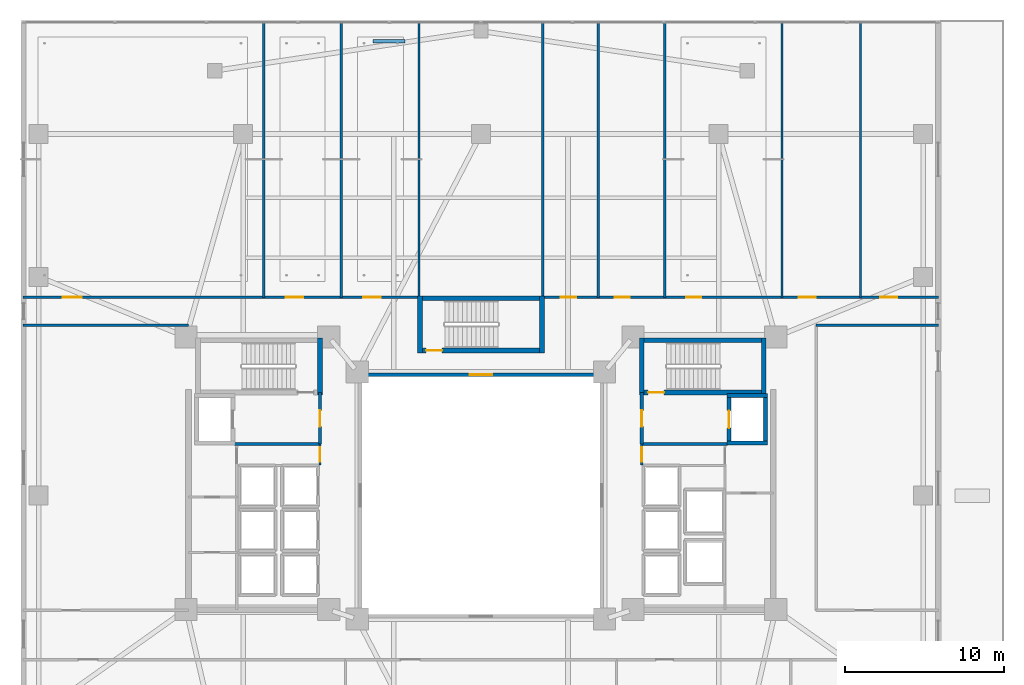
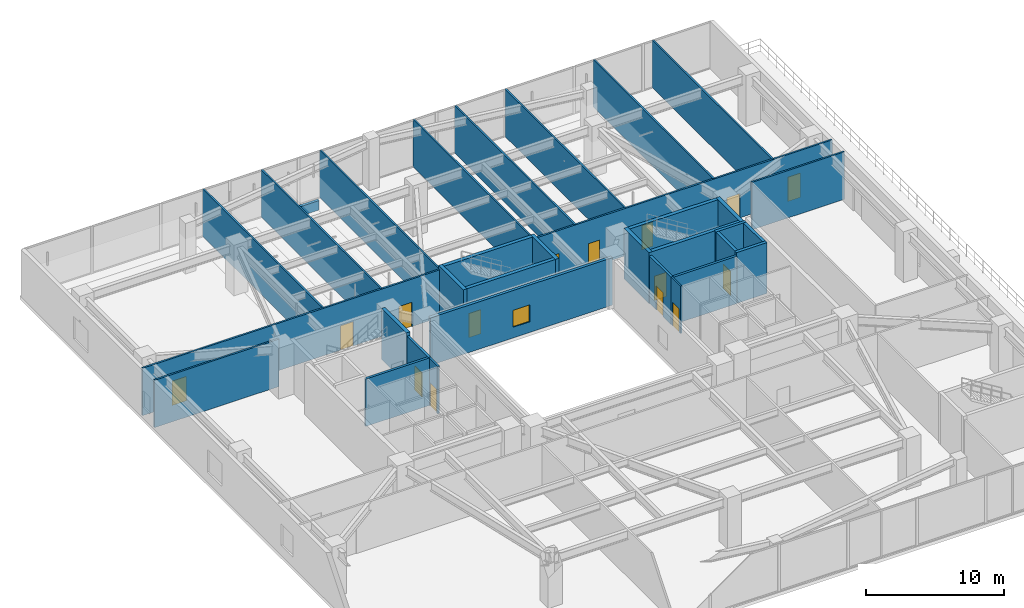
# One storey, part 19 of 27: 33 walls, 15 doors, 1 window, 16 openings.
"""IFC4 building model written with IfcOpenShell, lengths in metres."""

from ifc_helpers import new_model, si_unit, direction, frame, frame_2d, origin, place, context, subcontext, project, spatial, rectangle, extrude, material, layer, layer_set, type_object, element, fill, save


model = new_model("IFC4")

# Units and contexts
model_context = context("Model", 3, precision=1e-05, world=origin(), true_north=direction((0.0, 1.0)))
body_context = subcontext(model_context, "Body", "Model", "MODEL_VIEW")
ifc_project = project(units=[si_unit("LENGTHUNIT", "METRE"), si_unit("AREAUNIT", "SQUARE_METRE"), si_unit("VOLUMEUNIT", "CUBIC_METRE"), si_unit("PLANEANGLEUNIT", "RADIAN"), si_unit("MASSUNIT", "GRAM", prefix="KILO")], contexts=[model_context])

# Site, building, storey
site_placement = place(None, origin())
site = spatial("IfcSite", under=ifc_project, at=site_placement, CompositionType="ELEMENT")
building_placement = place(site_placement, origin())
building = spatial("IfcBuilding", under=site, at=building_placement, Name="Tarnavaz Court Tower", CompositionType="ELEMENT")
storey_placement = place(building_placement, frame((0.0, 0.0, 9.89990234375)))
storey = spatial("IfcBuildingStorey", under=building, at=storey_placement, Name="L02", CompositionType="ELEMENT", Elevation=9.89990234375)

# Wall, opening, door
ifc_material_1 = material(Name="Concrete C60/75", Category="concrete")
ifc_layer_1 = layer(ifc_material_1, 0.25)
ifc_layer_set_1 = layer_set([ifc_layer_1], Name="Concrete C60/75")
wall_type_1 = type_object("IfcWallType", Name="WL-CORE-250-C60", PredefinedType="SHEAR", material=ifc_layer_set_1)
wall_1_placement = place(storey_placement, frame((15.64990234375, 3.175048828125, 0.0), z_axis=(0.0, 0.0, 1.0), x_axis=(0.0, 1.0, 0.0)))
wall_1 = element("IfcWall", 1, at=wall_1_placement, inside=storey, type_object=wall_type_1, Name="L02 Lift FL-E1 Shaft Wall 049", PredefinedType="SHEAR", context=body_context, shape_type="SweptSolid", body=[
    extrude(rectangle(XDim=3.25, YDim=0.25, at=frame_2d((1.625, 0.0))), origin(), (0.0, 0.0, 1.0), 4.5),
])
opening_1_placement = place(wall_1_placement, frame((1.074951171875, 0.0, 0.0)))
opening_1 = element("IfcOpeningElement", 2, at=opening_1_placement, cuts=wall_1, Name="Opening LD1", PredefinedType="OPENING", context=body_context, shape_type="SweptSolid", body=[
    extrude(rectangle(XDim=1.10009765625, YDim=2.14990234375, at=frame_2d((0.550048828125, 1.074951171875))), frame((0.0, 0.135009765625, 0.0), z_axis=(0.0, -1.0, 0.0), x_axis=(1.0, 0.0, 0.0)), (0.0, 0.0, 1.0), 0.27001953125),
])
ifc_material_2 = material(Name="Stainless Steel", Category="steel")
door_type_1 = type_object("IfcDoorType", Name="DR-LD-1100", OperationType="NOTDEFINED", PredefinedType="DOOR", material=ifc_material_2)
door_1_placement = place(opening_1_placement, origin())
door_1 = element("IfcDoor", 3, at=door_1_placement, inside=storey, type_object=door_type_1, Name="L02 Lift Landing Door LD-FL-E1", OperationType="SLIDING_TO_LEFT", OverallHeight=2.14990234375, OverallWidth=1.10009765625, PredefinedType="DOOR", context=body_context, shape_type="SweptSolid", body=[
    extrude(rectangle(XDim=1.10009765625, YDim=2.14990234375, at=frame_2d((0.550048828125, 1.074951171875))), frame((0.0, 0.02490234375, 0.0), z_axis=(0.0, -1.0, 0.0), x_axis=(1.0, 0.0, 0.0)), (0.0, 0.0, 1.0), 0.050048828125),
])
fill(opening_1, door_1)

# Walls
wall_2_placement = place(storey_placement, frame((17.949951171875, 3.175048828125, 0.0), z_axis=(0.0, 0.0, 1.0), x_axis=(0.0, 1.0, 0.0)))
element("IfcWall", 4, at=wall_2_placement, inside=storey, type_object=wall_type_1, Name="L02 Lift FL-E1 Shaft Wall 050", PredefinedType="SHEAR", context=body_context, shape_type="SweptSolid", body=[
    extrude(rectangle(XDim=3.25, YDim=0.25, at=frame_2d((1.625, 0.0))), origin(), (0.0, 0.0, 1.0), 4.5),
])
for number, where, z_axis, x_axis, name in (
    (5, (15.52490234375, 3.300048828125, 0.0), (0.0, 0.0, 1.0), (1.0, 0.0, 0.0), "L02 Lift FL-E1 Shaft Wall 051"),
    (6, (15.52490234375, 6.300048828125, 0.0), (0.0, 0.0, 1.0), (1.0, 0.0, 0.0), "L02 Lift FL-E1 Shaft Wall 052"),
):
    element("IfcWall", number, at=place(storey_placement, frame(where, z_axis=z_axis, x_axis=x_axis)), inside=storey, type_object=wall_type_1, Name=name, PredefinedType="SHEAR", context=body_context, shape_type="SweptSolid", body=[
        extrude(rectangle(XDim=2.550048828125, YDim=0.25, at=frame_2d((1.27490234375, 0.0))), origin(), (0.0, 0.0, 1.0), 4.5),
    ])
ifc_layer_2 = layer(ifc_material_1, 0.300048828125)
ifc_layer_set_2 = layer_set([ifc_layer_2], Name="Concrete C60/75")
wall_type_2 = type_object("IfcWallType", Name="WL-CORE-300-C60", PredefinedType="SHEAR", material=ifc_layer_set_2)
wall_3_placement = place(storey_placement, frame((-10.14990234375, 6.35009765625, 0.0), z_axis=(0.0, 0.0, 1.0), x_axis=(0.0, 1.0, 0.0)))
element("IfcWall", 7, at=wall_3_placement, inside=storey, type_object=wall_type_2, Name="L02 West Stair Core Wall 004", PredefinedType="SHEAR", context=body_context, shape_type="SweptSolid", body=[
    extrude(rectangle(XDim=3.58984375, YDim=0.300048828125, at=frame_2d((1.794921875, 0.0))), origin(), (0.0, 0.0, 1.0), 4.5),
])
wall_4_placement = place(storey_placement, frame((10.0, 9.7900390625, 0.0), z_axis=(0.0, 0.0, 1.0), x_axis=(1.0, 0.0, 0.0)))
element("IfcWall", 8, at=wall_4_placement, inside=storey, type_object=wall_type_2, Name="L02 East Stair Core Wall 005", PredefinedType="SHEAR", context=body_context, shape_type="SweptSolid", body=[
    extrude(rectangle(XDim=8.0, YDim=0.300048828125, at=frame_2d((4.0, 0.0))), origin(), (0.0, 0.0, 1.0), 4.5),
])

# Wall, opening, door
wall_5_placement = place(storey_placement, frame((10.0, 6.5, 0.0), z_axis=(0.0, 0.0, 1.0), x_axis=(1.0, 0.0, 0.0)))
wall_5 = element("IfcWall", 9, at=wall_5_placement, inside=storey, type_object=wall_type_2, Name="L02 East Stair Core Wall 006", PredefinedType="SHEAR", context=body_context, shape_type="SweptSolid", body=[
    extrude(rectangle(XDim=8.0, YDim=0.300048828125, at=frame_2d((4.0, 0.0))), origin(), (0.0, 0.0, 1.0), 4.5),
])
opening_2_placement = place(wall_5_placement, frame((0.550048828125, 0.0, 0.0)))
opening_2 = element("IfcOpeningElement", 10, at=opening_2_placement, cuts=wall_5, Name="Opening D01", PredefinedType="OPENING", context=body_context, shape_type="SweptSolid", body=[
    extrude(rectangle(XDim=1.0, YDim=2.14990234375, at=frame_2d((0.5, 1.074951171875))), frame((0.0, 0.159912109375, 0.0), z_axis=(0.0, -1.0, 0.0), x_axis=(1.0, 0.0, 0.0)), (0.0, 0.0, 1.0), 0.320068359375),
])
ifc_material_3 = material(Name="Fire-Rated Hardwood Timber Core", Category="wood")
door_type_2 = type_object("IfcDoorType", Name="DR-FD90-1000", OperationType="NOTDEFINED", PredefinedType="DOOR", material=ifc_material_3)
door_2_placement = place(opening_2_placement, origin())
door_2 = element("IfcDoor", 11, at=door_2_placement, inside=storey, type_object=door_type_2, Name="L02 Stair ST-E1 Exit Door", OperationType="SINGLE_SWING_RIGHT", OverallHeight=2.14990234375, OverallWidth=1.0, PredefinedType="DOOR", context=body_context, shape_type="SweptSolid", body=[
    extrude(rectangle(XDim=1.0, YDim=2.14990234375, at=frame_2d((0.5, 1.074951171875))), frame((0.0, 0.02490234375, 0.0), z_axis=(0.0, -1.0, 0.0), x_axis=(1.0, 0.0, 0.0)), (0.0, 0.0, 1.0), 0.050048828125),
])
fill(opening_2, door_2)

# Walls
for number, where, z_axis, x_axis, name in (
    (12, (10.14990234375, 6.35009765625, 0.0), (0.0, 0.0, 1.0), (0.0, 1.0, 0.0), "L02 East Stair Core Wall 007"),
    (13, (17.85009765625, 6.35009765625, 0.0), (0.0, 0.0, 1.0), (0.0, 1.0, 0.0), "L02 East Stair Core Wall 008"),
):
    element("IfcWall", number, at=place(storey_placement, frame(where, z_axis=z_axis, x_axis=x_axis)), inside=storey, type_object=wall_type_2, Name=name, PredefinedType="SHEAR", context=body_context, shape_type="SweptSolid", body=[
        extrude(rectangle(XDim=3.58984375, YDim=0.300048828125, at=frame_2d((1.794921875, 0.0))), origin(), (0.0, 0.0, 1.0), 4.5),
    ])
wall_6_placement = place(storey_placement, frame((-4.0, 12.43994140625, 0.0), z_axis=(0.0, 0.0, 1.0), x_axis=(1.0, 0.0, 0.0)))
element("IfcWall", 14, at=wall_6_placement, inside=storey, type_object=wall_type_2, Name="L02 North Stair Core Wall 009", PredefinedType="SHEAR", context=body_context, shape_type="SweptSolid", body=[
    extrude(rectangle(XDim=8.0, YDim=0.300048828125, at=frame_2d((4.0, 0.0))), origin(), (0.0, 0.0, 1.0), 4.5),
])

# Wall, opening, door
wall_7_placement = place(storey_placement, frame((-4.0, 9.14990234375, 0.0), z_axis=(0.0, 0.0, 1.0), x_axis=(1.0, 0.0, 0.0)))
wall_7 = element("IfcWall", 15, at=wall_7_placement, inside=storey, type_object=wall_type_2, Name="L02 North Stair Core Wall 010", PredefinedType="SHEAR", context=body_context, shape_type="SweptSolid", body=[
    extrude(rectangle(XDim=8.0, YDim=0.300048828125, at=frame_2d((4.0, 0.0))), origin(), (0.0, 0.0, 1.0), 4.5),
])
opening_3_placement = place(wall_7_placement, frame((0.550048828125, 0.0, 0.0)))
opening_3 = element("IfcOpeningElement", 16, at=opening_3_placement, cuts=wall_7, Name="Opening D01", PredefinedType="OPENING", context=body_context, shape_type="SweptSolid", body=[
    extrude(rectangle(XDim=1.0, YDim=2.14990234375, at=frame_2d((0.5, 1.074951171875))), frame((0.0, 0.159912109375, 0.0), z_axis=(0.0, -1.0, 0.0), x_axis=(1.0, 0.0, 0.0)), (0.0, 0.0, 1.0), 0.320068359375),
])
door_3_placement = place(opening_3_placement, origin())
door_3 = element("IfcDoor", 17, at=door_3_placement, inside=storey, type_object=door_type_2, Name="L02 Stair ST-N1 Exit Door", OperationType="SINGLE_SWING_LEFT", OverallHeight=2.14990234375, OverallWidth=1.0, PredefinedType="DOOR", context=body_context, shape_type="SweptSolid", body=[
    extrude(rectangle(XDim=1.0, YDim=2.14990234375, at=frame_2d((0.5, 1.074951171875))), frame((0.0, 0.02490234375, 0.0), z_axis=(0.0, -1.0, 0.0), x_axis=(1.0, 0.0, 0.0)), (0.0, 0.0, 1.0), 0.050048828125),
])
fill(opening_3, door_3)

# Walls
for number, where, z_axis, x_axis, name in (
    (18, (-3.85009765625, 9.0, 0.0), (0.0, 0.0, 1.0), (0.0, 1.0, 0.0), "L02 North Stair Core Wall 011"),
    (19, (3.85009765625, 9.0, 0.0), (0.0, 0.0, 1.0), (0.0, 1.0, 0.0), "L02 North Stair Core Wall 012"),
):
    element("IfcWall", number, at=place(storey_placement, frame(where, z_axis=z_axis, x_axis=x_axis)), inside=storey, type_object=wall_type_2, Name=name, PredefinedType="SHEAR", context=body_context, shape_type="SweptSolid", body=[
        extrude(rectangle(XDim=3.590087890625, YDim=0.300048828125, at=frame_2d((1.794921875, 0.0))), origin(), (0.0, 0.0, 1.0), 4.5),
    ])

# Wall, openings, doors
ifc_material_4 = material(Name="Gypsum Fire-Board on Acoustic Metal Stud", Category="masonry")
ifc_layer_3 = layer(ifc_material_4, 0.14990234375)
ifc_layer_set_3 = layer_set([ifc_layer_3], Name="Gypsum Fire-Board on Acoustic Metal Stud")
wall_type_3 = type_object("IfcWallType", Name="WL-FIRE-150", PredefinedType="PARTITIONING", material=ifc_layer_set_3)
wall_8_placement = place(storey_placement, frame((-28.8798828125, 12.5, 0.0), z_axis=(0.0, 0.0, 1.0), x_axis=(1.0, 0.0, 0.0)))
wall_8 = element("IfcWall", 20, at=wall_8_placement, inside=storey, type_object=wall_type_3, Name="L02 NW Wing Corridor Wall 086", PredefinedType="PARTITIONING", context=body_context, shape_type="SweptSolid", body=[
    extrude(rectangle(XDim=25.02978515625, YDim=0.14990234375, at=frame_2d((12.514892578125, 0.0))), origin(), (0.0, 0.0, 1.0), 4.2001953125),
])
opening_4_placement = place(wall_8_placement, frame((2.5, 0.0, 0.0)))
opening_4 = element("IfcOpeningElement", 21, at=opening_4_placement, cuts=wall_8, Name="Opening D11", PredefinedType="OPENING", context=body_context, shape_type="SweptSolid", body=[
    extrude(rectangle(XDim=1.199951171875, YDim=2.14990234375, at=frame_2d((0.60009765625, 1.074951171875))), frame((0.0, 0.0849609375, 0.0), z_axis=(0.0, -1.0, 0.0), x_axis=(1.0, 0.0, 0.0)), (0.0, 0.0, 1.0), 0.169921875),
])
opening_5_placement = place(wall_8_placement, frame((16.580078125, 0.0, 0.0)))
opening_5 = element("IfcOpeningElement", 22, at=opening_5_placement, cuts=wall_8, Name="Opening D12", PredefinedType="OPENING", context=body_context, shape_type="SweptSolid", body=[
    extrude(rectangle(XDim=1.080078125, YDim=2.14990234375, at=frame_2d((0.5400390625, 1.074951171875))), frame((0.0, 0.0849609375, 0.0), z_axis=(0.0, -1.0, 0.0), x_axis=(1.0, 0.0, 0.0)), (0.0, 0.0, 1.0), 0.169921875),
])
opening_6_placement = place(wall_8_placement, frame((21.469970703125, 0.0, 0.0)))
opening_6 = element("IfcOpeningElement", 23, at=opening_6_placement, cuts=wall_8, Name="Opening D12", PredefinedType="OPENING", context=body_context, shape_type="SweptSolid", body=[
    extrude(rectangle(XDim=1.080078125, YDim=2.14990234375, at=frame_2d((0.5400390625, 1.074951171875))), frame((0.0, 0.0849609375, 0.0), z_axis=(0.0, -1.0, 0.0), x_axis=(1.0, 0.0, 0.0)), (0.0, 0.0, 1.0), 0.169921875),
])
ifc_material_5 = material(Name="Engineered Oak Timber", Category="wood")
door_type_3 = type_object("IfcDoorType", Name="DR-INT-1100", OperationType="NOTDEFINED", PredefinedType="DOOR", material=ifc_material_5)
door_4_placement = place(opening_5_placement, origin())
door_4 = element("IfcDoor", 24, at=door_4_placement, inside=storey, type_object=door_type_3, Name="L02 Specialist Dental and Ophthalmology Clinic Door", OperationType="SINGLE_SWING_RIGHT", OverallHeight=2.14990234375, OverallWidth=1.080078125, PredefinedType="DOOR", context=body_context, shape_type="SweptSolid", body=[
    extrude(rectangle(XDim=1.080078125, YDim=2.14990234375, at=frame_2d((0.5400390625, 1.074951171875))), frame((0.0, 0.02490234375, 0.0), z_axis=(0.0, -1.0, 0.0), x_axis=(1.0, 0.0, 0.0)), (0.0, 0.0, 1.0), 0.050048828125),
])
fill(opening_5, door_4)
door_5_placement = place(opening_6_placement, origin())
door_5 = element("IfcDoor", 25, at=door_5_placement, inside=storey, type_object=door_type_3, Name="L02 North Consultation Door", OperationType="SINGLE_SWING_LEFT", OverallHeight=2.14990234375, OverallWidth=1.080078125, PredefinedType="DOOR", context=body_context, shape_type="SweptSolid", body=[
    extrude(rectangle(XDim=1.080078125, YDim=2.14990234375, at=frame_2d((0.5400390625, 1.074951171875))), frame((0.0, 0.02490234375, 0.0), z_axis=(0.0, -1.0, 0.0), x_axis=(1.0, 0.0, 0.0)), (0.0, 0.0, 1.0), 0.050048828125),
])
fill(opening_6, door_5)
door_type_4 = type_object("IfcDoorType", Name="DR-INT-1200", OperationType="NOTDEFINED", PredefinedType="DOOR", material=ifc_material_5)
door_6_placement = place(opening_4_placement, origin())
door_6 = element("IfcDoor", 26, at=door_6_placement, inside=storey, type_object=door_type_4, Name="L02 Paediatric and Maternal Waiting Room Door", OperationType="SINGLE_SWING_LEFT", OverallHeight=2.14990234375, OverallWidth=1.199951171875, PredefinedType="DOOR", context=body_context, shape_type="SweptSolid", body=[
    extrude(rectangle(XDim=1.199951171875, YDim=2.14990234375, at=frame_2d((0.60009765625, 1.074951171875))), frame((0.0, 0.02490234375, 0.0), z_axis=(0.0, -1.0, 0.0), x_axis=(1.0, 0.0, 0.0)), (0.0, 0.0, 1.0), 0.050048828125),
])
fill(opening_4, door_6)

wall_9_placement = place(storey_placement, frame((3.85009765625, 12.5, 0.0), z_axis=(0.0, 0.0, 1.0), x_axis=(1.0, 0.0, 0.0)))
wall_9 = element("IfcWall", 27, at=wall_9_placement, inside=storey, type_object=wall_type_3, Name="L02 NE Wing Corridor Wall 087", PredefinedType="PARTITIONING", context=body_context, shape_type="SweptSolid", body=[
    extrude(rectangle(XDim=25.02978515625, YDim=0.14990234375, at=frame_2d((12.514892578125, 0.0))), origin(), (0.0, 0.0, 1.0), 4.2001953125),
])
opening_7_placement = place(wall_9_placement, frame((1.199951171875, 0.0, 0.0)))
opening_7 = element("IfcOpeningElement", 28, at=opening_7_placement, cuts=wall_9, Name="Opening D13", PredefinedType="OPENING", context=body_context, shape_type="SweptSolid", body=[
    extrude(rectangle(XDim=0.949951171875, YDim=2.14990234375, at=frame_2d((0.47509765625, 1.074951171875))), frame((0.0, 0.0849609375, 0.0), z_axis=(0.0, -1.0, 0.0), x_axis=(1.0, 0.0, 0.0)), (0.0, 0.0, 1.0), 0.169921875),
])
opening_8_placement = place(wall_9_placement, frame((4.60009765625, 0.0, 0.0)))
opening_8 = element("IfcOpeningElement", 29, at=opening_8_placement, cuts=wall_9, Name="Opening D13", PredefinedType="OPENING", context=body_context, shape_type="SweptSolid", body=[
    extrude(rectangle(XDim=0.949951171875, YDim=2.14990234375, at=frame_2d((0.47509765625, 1.074951171875))), frame((0.0, 0.0849609375, 0.0), z_axis=(0.0, -1.0, 0.0), x_axis=(1.0, 0.0, 0.0)), (0.0, 0.0, 1.0), 0.169921875),
])
opening_9_placement = place(wall_9_placement, frame((9.10009765625, 0.0, 0.0)))
opening_9 = element("IfcOpeningElement", 30, at=opening_9_placement, cuts=wall_9, Name="Opening D13", PredefinedType="OPENING", context=body_context, shape_type="SweptSolid", body=[
    extrude(rectangle(XDim=0.949951171875, YDim=2.14990234375, at=frame_2d((0.47509765625, 1.074951171875))), frame((0.0, 0.0849609375, 0.0), z_axis=(0.0, -1.0, 0.0), x_axis=(1.0, 0.0, 0.0)), (0.0, 0.0, 1.0), 0.169921875),
])
opening_10_placement = place(wall_9_placement, frame((16.199951171875, 0.0, 0.0)))
opening_10 = element("IfcOpeningElement", 31, at=opening_10_placement, cuts=wall_9, Name="Opening D12", PredefinedType="OPENING", context=body_context, shape_type="SweptSolid", body=[
    extrude(rectangle(XDim=1.080078125, YDim=2.14990234375, at=frame_2d((0.5400390625, 1.074951171875))), frame((0.0, 0.0849609375, 0.0), z_axis=(0.0, -1.0, 0.0), x_axis=(1.0, 0.0, 0.0)), (0.0, 0.0, 1.0), 0.169921875),
])
opening_11_placement = place(wall_9_placement, frame((21.330078125, 0.0, 0.0)))
opening_11 = element("IfcOpeningElement", 32, at=opening_11_placement, cuts=wall_9, Name="Opening D12", PredefinedType="OPENING", context=body_context, shape_type="SweptSolid", body=[
    extrude(rectangle(XDim=1.080078125, YDim=2.14990234375, at=frame_2d((0.5400390625, 1.074951171875))), frame((0.0, 0.0849609375, 0.0), z_axis=(0.0, -1.0, 0.0), x_axis=(1.0, 0.0, 0.0)), (0.0, 0.0, 1.0), 0.169921875),
])
door_7_placement = place(opening_10_placement, origin())
door_7 = element("IfcDoor", 33, at=door_7_placement, inside=storey, type_object=door_type_3, Name="L02 Outpatient Minor Procedure Treatment Room Door", OperationType="SINGLE_SWING_LEFT", OverallHeight=2.14990234375, OverallWidth=1.080078125, PredefinedType="DOOR", context=body_context, shape_type="SweptSolid", body=[
    extrude(rectangle(XDim=1.080078125, YDim=2.14990234375, at=frame_2d((0.5400390625, 1.074951171875))), frame((0.0, 0.02490234375, 0.0), z_axis=(0.0, -1.0, 0.0), x_axis=(1.0, 0.0, 0.0)), (0.0, 0.0, 1.0), 0.050048828125),
])
fill(opening_10, door_7)
door_8_placement = place(opening_11_placement, origin())
door_8 = element("IfcDoor", 34, at=door_8_placement, inside=storey, type_object=door_type_3, Name="L02 Specialist Office Door", OperationType="SINGLE_SWING_RIGHT", OverallHeight=2.14990234375, OverallWidth=1.080078125, PredefinedType="DOOR", context=body_context, shape_type="SweptSolid", body=[
    extrude(rectangle(XDim=1.080078125, YDim=2.14990234375, at=frame_2d((0.5400390625, 1.074951171875))), frame((0.0, 0.02490234375, 0.0), z_axis=(0.0, -1.0, 0.0), x_axis=(1.0, 0.0, 0.0)), (0.0, 0.0, 1.0), 0.050048828125),
])
fill(opening_11, door_8)
door_type_5 = type_object("IfcDoorType", Name="DR-INT-950", OperationType="NOTDEFINED", PredefinedType="DOOR", material=ifc_material_5)
door_9_placement = place(opening_7_placement, origin())
door_9 = element("IfcDoor", 35, at=door_9_placement, inside=storey, type_object=door_type_5, Name="L02 L02 Accessible WC Door", OperationType="SINGLE_SWING_RIGHT", OverallHeight=2.14990234375, OverallWidth=0.949951171875, PredefinedType="DOOR", context=body_context, shape_type="SweptSolid", body=[
    extrude(rectangle(XDim=0.949951171875, YDim=2.14990234375, at=frame_2d((0.47509765625, 1.074951171875))), frame((0.0, 0.02490234375, 0.0), z_axis=(0.0, -1.0, 0.0), x_axis=(1.0, 0.0, 0.0)), (0.0, 0.0, 1.0), 0.050048828125),
])
fill(opening_7, door_9)
door_10_placement = place(opening_8_placement, origin())
door_10 = element("IfcDoor", 36, at=door_10_placement, inside=storey, type_object=door_type_5, Name="L02 L02 Public Toilets Door", OperationType="SINGLE_SWING_LEFT", OverallHeight=2.14990234375, OverallWidth=0.949951171875, PredefinedType="DOOR", context=body_context, shape_type="SweptSolid", body=[
    extrude(rectangle(XDim=0.949951171875, YDim=2.14990234375, at=frame_2d((0.47509765625, 1.074951171875))), frame((0.0, 0.02490234375, 0.0), z_axis=(0.0, -1.0, 0.0), x_axis=(1.0, 0.0, 0.0)), (0.0, 0.0, 1.0), 0.050048828125),
])
fill(opening_8, door_10)
door_11_placement = place(opening_9_placement, origin())
door_11 = element("IfcDoor", 37, at=door_11_placement, inside=storey, type_object=door_type_5, Name="L02 L02 Administration Office Door", OperationType="SINGLE_SWING_RIGHT", OverallHeight=2.14990234375, OverallWidth=0.949951171875, PredefinedType="DOOR", context=body_context, shape_type="SweptSolid", body=[
    extrude(rectangle(XDim=0.949951171875, YDim=2.14990234375, at=frame_2d((0.47509765625, 1.074951171875))), frame((0.0, 0.02490234375, 0.0), z_axis=(0.0, -1.0, 0.0), x_axis=(1.0, 0.0, 0.0)), (0.0, 0.0, 1.0), 0.050048828125),
])
fill(opening_9, door_11)

# Walls
wall_10_placement = place(storey_placement, frame((-28.8798828125, 10.75, 0.0), z_axis=(0.0, 0.0, 1.0), x_axis=(1.0, 0.0, 0.0)))
element("IfcWall", 38, at=wall_10_placement, inside=storey, type_object=wall_type_3, Name="L02 Interior Partition 105", PredefinedType="PARTITIONING", context=body_context, shape_type="SweptSolid", body=[
    extrude(rectangle(XDim=10.429931640625, YDim=0.14990234375, at=frame_2d((5.21484375, 0.0))), origin(), (0.0, 0.0, 1.0), 4.2001953125),
])
wall_11_placement = place(storey_placement, frame((21.14990234375, 10.75, 0.0), z_axis=(0.0, 0.0, 1.0), x_axis=(1.0, 0.0, 0.0)))
element("IfcWall", 39, at=wall_11_placement, inside=storey, type_object=wall_type_3, Name="L02 Interior Partition 107", PredefinedType="PARTITIONING", context=body_context, shape_type="SweptSolid", body=[
    extrude(rectangle(XDim=7.72998046875, YDim=0.14990234375, at=frame_2d((3.864990234375, 0.0))), origin(), (0.0, 0.0, 1.0), 4.2001953125),
])
ifc_material_6 = material(Name="Autoclaved Aerated Concrete Blockwork", Category="masonry")
ifc_layer_4 = layer(ifc_material_6, 0.199951171875)
ifc_layer_set_4 = layer_set([ifc_layer_4], Name="Autoclaved Aerated Concrete Blockwork")
wall_type_4 = type_object("IfcWallType", Name="WL-FIRE-200", PredefinedType="SOLIDWALL", material=ifc_layer_set_4)
wall_12_placement = place(storey_placement, frame((-15.550048828125, 3.25, 0.0), z_axis=(0.0, 0.0, 1.0), x_axis=(1.0, 0.0, 0.0)))
element("IfcWall", 40, at=wall_12_placement, inside=storey, type_object=wall_type_4, Name="L02 West Firefighting Lobby Wall 017", PredefinedType="SOLIDWALL", context=body_context, shape_type="SweptSolid", body=[
    extrude(rectangle(XDim=5.400146484375, YDim=0.199951171875, at=frame_2d((2.7001953125, 0.0))), origin(), (0.0, 0.0, 1.0), 4.2001953125),
])

# Wall, opening, door
wall_13_placement = place(storey_placement, frame((-10.14990234375, 3.25, 0.0), z_axis=(0.0, 0.0, 1.0), x_axis=(0.0, 1.0, 0.0)))
wall_13 = element("IfcWall", 41, at=wall_13_placement, inside=storey, type_object=wall_type_4, Name="L02 West Firefighting Lobby Wall 018", PredefinedType="SOLIDWALL", context=body_context, shape_type="SweptSolid", body=[
    extrude(rectangle(XDim=3.25, YDim=0.199951171875, at=frame_2d((1.625, 0.0))), origin(), (0.0, 0.0, 1.0), 4.2001953125),
])
opening_12_placement = place(wall_13_placement, frame((1.10009765625, 0.0, 0.0)))
opening_12 = element("IfcOpeningElement", 42, at=opening_12_placement, cuts=wall_13, Name="Opening D05", PredefinedType="OPENING", context=body_context, shape_type="SweptSolid", body=[
    extrude(rectangle(XDim=1.02001953125, YDim=2.14990234375, at=frame_2d((0.510009765625, 1.074951171875))), frame((0.0, 0.10986328125, 0.0), z_axis=(0.0, -1.0, 0.0), x_axis=(1.0, 0.0, 0.0)), (0.0, 0.0, 1.0), 0.219970703125),
])
door_type_6 = type_object("IfcDoorType", Name="DR-FD60-1000", OperationType="NOTDEFINED", PredefinedType="DOOR", material=ifc_material_3)
door_12_placement = place(opening_12_placement, origin())
door_12 = element("IfcDoor", 43, at=door_12_placement, inside=storey, type_object=door_type_6, Name="L02 West Firefighting Lobby Door", OperationType="SINGLE_SWING_RIGHT", OverallHeight=2.14990234375, OverallWidth=1.02001953125, PredefinedType="DOOR", context=body_context, shape_type="SweptSolid", body=[
    extrude(rectangle(XDim=1.02001953125, YDim=2.14990234375, at=frame_2d((0.510009765625, 1.074951171875))), frame((0.0, 0.02490234375, 0.0), z_axis=(0.0, -1.0, 0.0), x_axis=(1.0, 0.0, 0.0)), (0.0, 0.0, 1.0), 0.050048828125),
])
fill(opening_12, door_12)

# Wall
wall_14_placement = place(storey_placement, frame((10.14990234375, 3.25, 0.0), z_axis=(0.0, 0.0, 1.0), x_axis=(1.0, 0.0, 0.0)))
element("IfcWall", 44, at=wall_14_placement, inside=storey, type_object=wall_type_4, Name="L02 East Firefighting Lobby Wall 019", PredefinedType="SOLIDWALL", context=body_context, shape_type="SweptSolid", body=[
    extrude(rectangle(XDim=5.400146484375, YDim=0.199951171875, at=frame_2d((2.7001953125, 0.0))), origin(), (0.0, 0.0, 1.0), 4.2001953125),
])

# Wall, opening, door
wall_15_placement = place(storey_placement, frame((10.14990234375, 3.25, 0.0), z_axis=(0.0, 0.0, 1.0), x_axis=(0.0, 1.0, 0.0)))
wall_15 = element("IfcWall", 45, at=wall_15_placement, inside=storey, type_object=wall_type_4, Name="L02 East Firefighting Lobby Wall 020", PredefinedType="SOLIDWALL", context=body_context, shape_type="SweptSolid", body=[
    extrude(rectangle(XDim=3.25, YDim=0.199951171875, at=frame_2d((1.625, 0.0))), origin(), (0.0, 0.0, 1.0), 4.2001953125),
])
opening_13_placement = place(wall_15_placement, frame((1.10009765625, 0.0, 0.0)))
opening_13 = element("IfcOpeningElement", 46, at=opening_13_placement, cuts=wall_15, Name="Opening D05", PredefinedType="OPENING", context=body_context, shape_type="SweptSolid", body=[
    extrude(rectangle(XDim=1.02001953125, YDim=2.14990234375, at=frame_2d((0.510009765625, 1.074951171875))), frame((0.0, 0.10986328125, 0.0), z_axis=(0.0, -1.0, 0.0), x_axis=(1.0, 0.0, 0.0)), (0.0, 0.0, 1.0), 0.219970703125),
])
door_13_placement = place(opening_13_placement, origin())
door_13 = element("IfcDoor", 47, at=door_13_placement, inside=storey, type_object=door_type_6, Name="L02 East Firefighting Lobby Door", OperationType="SINGLE_SWING_LEFT", OverallHeight=2.14990234375, OverallWidth=1.02001953125, PredefinedType="DOOR", context=body_context, shape_type="SweptSolid", body=[
    extrude(rectangle(XDim=1.02001953125, YDim=2.14990234375, at=frame_2d((0.510009765625, 1.074951171875))), frame((0.0, 0.02490234375, 0.0), z_axis=(0.0, -1.0, 0.0), x_axis=(1.0, 0.0, 0.0)), (0.0, 0.0, 1.0), 0.050048828125),
])
fill(opening_13, door_13)

# Wall
ifc_material_7 = material(Name="Precast Concrete C40/50", Category="concrete")
ifc_layer_5 = layer(ifc_material_7, 0.219970703125)
ifc_layer_set_5 = layer_set([ifc_layer_5], Name="Precast Concrete C40/50")
wall_type_5 = type_object("IfcWallType", Name="WL-PARAPET-220", PredefinedType="PARAPET", material=ifc_layer_set_5)
wall_16_placement = place(storey_placement, frame((-6.800048828125, 28.64990234375, 0.0), z_axis=(0.0, 0.0, 1.0), x_axis=(1.0, 0.0, 0.0)))
element("IfcWall", 48, at=wall_16_placement, inside=storey, type_object=wall_type_5, Name="L02 North Prow Terracotta Parapet Upstand", PredefinedType="PARAPET", context=body_context, shape_type="SweptSolid", body=[
    extrude(rectangle(XDim=2.0, YDim=0.219970703125, at=frame_2d((1.0, 0.0))), origin(), (0.0, 0.0, 1.0), 0.85009765625),
])

# Wall, opening, door
ifc_material_8 = material(Name="Gypsum Plasterboard Acoustic Partition", Category="masonry")
ifc_layer_6 = layer(ifc_material_8, 0.139892578125)
ifc_layer_set_6 = layer_set([ifc_layer_6], Name="Gypsum Plasterboard Acoustic Partition")
wall_type_6 = type_object("IfcWallType", Name="WL-PART-150", PredefinedType="PARTITIONING", material=ifc_layer_set_6)
wall_17_placement = place(storey_placement, frame((-10.14990234375, 1.919921875, 0.0), z_axis=(0.0, 0.0, 1.0), x_axis=(0.0, 1.0, 0.0)))
wall_17 = element("IfcWall", 49, at=wall_17_placement, inside=storey, type_object=wall_type_6, Name="L02 Interior Partition 078", PredefinedType="PARTITIONING", context=body_context, shape_type="SweptSolid", body=[
    extrude(rectangle(XDim=1.330078125, YDim=0.139892578125, at=frame_2d((0.6650390625, 0.0))), origin(), (0.0, 0.0, 1.0), 4.2001953125),
])
opening_14_placement = place(wall_17_placement, frame((0.219970703125, 0.0, 0.0)))
opening_14 = element("IfcOpeningElement", 50, at=opening_14_placement, cuts=wall_17, Name="Opening D09", PredefinedType="OPENING", context=body_context, shape_type="SweptSolid", body=[
    extrude(rectangle(XDim=0.89990234375, YDim=2.080078125, at=frame_2d((0.449951171875, 1.0400390625))), frame((0.0, 0.079833984375, 0.0), z_axis=(0.0, -1.0, 0.0), x_axis=(1.0, 0.0, 0.0)), (0.0, 0.0, 1.0), 0.159912109375),
])
door_type_7 = type_object("IfcDoorType", Name="DR-FD30-900", OperationType="NOTDEFINED", PredefinedType="DOOR", material=ifc_material_3)
door_14_placement = place(opening_14_placement, origin())
door_14 = element("IfcDoor", 51, at=door_14_placement, inside=storey, type_object=door_type_7, Name="L02 West Core Service Lobby Door", OperationType="SINGLE_SWING_RIGHT", OverallHeight=2.080078125, OverallWidth=0.89990234375, PredefinedType="DOOR", context=body_context, shape_type="SweptSolid", body=[
    extrude(rectangle(XDim=0.89990234375, YDim=2.080078125, at=frame_2d((0.449951171875, 1.0400390625))), frame((0.0, 0.02490234375, 0.0), z_axis=(0.0, -1.0, 0.0), x_axis=(1.0, 0.0, 0.0)), (0.0, 0.0, 1.0), 0.050048828125),
])
fill(opening_14, door_14)

wall_18_placement = place(storey_placement, frame((10.14990234375, 1.919921875, 0.0), z_axis=(0.0, 0.0, 1.0), x_axis=(0.0, 1.0, 0.0)))
wall_18 = element("IfcWall", 52, at=wall_18_placement, inside=storey, type_object=wall_type_6, Name="L02 Interior Partition 083", PredefinedType="PARTITIONING", context=body_context, shape_type="SweptSolid", body=[
    extrude(rectangle(XDim=1.330078125, YDim=0.139892578125, at=frame_2d((0.6650390625, 0.0))), origin(), (0.0, 0.0, 1.0), 4.2001953125),
])
opening_15_placement = place(wall_18_placement, frame((0.219970703125, 0.0, 0.0)))
opening_15 = element("IfcOpeningElement", 53, at=opening_15_placement, cuts=wall_18, Name="Opening D09", PredefinedType="OPENING", context=body_context, shape_type="SweptSolid", body=[
    extrude(rectangle(XDim=0.89990234375, YDim=2.080078125, at=frame_2d((0.449951171875, 1.0400390625))), frame((0.0, 0.079833984375, 0.0), z_axis=(0.0, -1.0, 0.0), x_axis=(1.0, 0.0, 0.0)), (0.0, 0.0, 1.0), 0.159912109375),
])
door_15_placement = place(opening_15_placement, origin())
door_15 = element("IfcDoor", 54, at=door_15_placement, inside=storey, type_object=door_type_7, Name="L02 East Core Service Lobby Door", OperationType="SINGLE_SWING_RIGHT", OverallHeight=2.080078125, OverallWidth=0.89990234375, PredefinedType="DOOR", context=body_context, shape_type="SweptSolid", body=[
    extrude(rectangle(XDim=0.89990234375, YDim=2.080078125, at=frame_2d((0.449951171875, 1.0400390625))), frame((0.0, 0.02490234375, 0.0), z_axis=(0.0, -1.0, 0.0), x_axis=(1.0, 0.0, 0.0)), (0.0, 0.0, 1.0), 0.050048828125),
])
fill(opening_15, door_15)

# Walls
for number, where, z_axis, x_axis, name in (
    (55, (-3.89990234375, 12.5, 0.0), (0.0, 0.0, 1.0), (0.0, 1.0, 0.0), "L02 Interior Partition 092"),
    (56, (3.89990234375, 12.5, 0.0), (0.0, 0.0, 1.0), (0.0, 1.0, 0.0), "L02 Interior Partition 093"),
    (57, (-13.699951171875, 12.5, 0.0), (0.0, 0.0, 1.0), (0.0, 1.0, 0.0), "L02 Interior Partition 094"),
    (58, (-8.81005859375, 12.5, 0.0), (0.0, 0.0, 1.0), (0.0, 1.0, 0.0), "L02 Interior Partition 095"),
    (59, (7.39990234375, 12.5, 0.0), (0.0, 0.0, 1.0), (0.0, 1.0, 0.0), "L02 Interior Partition 096"),
    (60, (11.60009765625, 12.5, 0.0), (0.0, 0.0, 1.0), (0.0, 1.0, 0.0), "L02 Interior Partition 097"),
    (61, (19.0, 12.5, 0.0), (0.0, 0.0, 1.0), (0.0, 1.0, 0.0), "L02 Interior Partition 098"),
    (62, (23.93994140625, 12.5, 0.0), (0.0, 0.0, 1.0), (0.0, 1.0, 0.0), "L02 Interior Partition 099"),
):
    element("IfcWall", number, at=place(storey_placement, frame(where, z_axis=z_axis, x_axis=x_axis)), inside=storey, type_object=wall_type_6, Name=name, PredefinedType="PARTITIONING", context=body_context, shape_type="SweptSolid", body=[
        extrude(rectangle(XDim=17.3798828125, YDim=0.139892578125, at=frame_2d((8.68994140625, 0.0))), origin(), (0.0, 0.0, 1.0), 4.2001953125),
    ])

# Wall, opening, window
ifc_layer_7 = layer(ifc_material_7, 0.239990234375)
ifc_layer_set_7 = layer_set([ifc_layer_7], Name="Precast Concrete C40/50")
wall_type_7 = type_object("IfcWallType", Name="WL-WELL-240", PredefinedType="SOLIDWALL", material=ifc_layer_set_7)
wall_19_placement = place(storey_placement, frame((7.6201171875, 7.6201171875, 0.0), z_axis=(0.0, 0.0, 1.0), x_axis=(-1.0, 0.0, 0.0)))
wall_19 = element("IfcWall", 63, at=wall_19_placement, inside=storey, type_object=wall_type_7, Name="L02 Badgir Light-Well Exterior Wall N", PredefinedType="SOLIDWALL", context=body_context, shape_type="SweptSolid", body=[
    extrude(rectangle(XDim=15.240234375, YDim=0.239990234375, at=frame_2d((7.6201171875, 0.0))), origin(), (0.0, 0.0, 1.0), 4.2001953125),
])
opening_16_placement = place(wall_19_placement, frame((6.919921875, 0.0, 0.949951171875)))
opening_16 = element("IfcOpeningElement", 64, at=opening_16_placement, cuts=wall_19, Name="Opening W13", PredefinedType="OPENING", context=body_context, shape_type="SweptSolid", body=[
    extrude(rectangle(XDim=1.39990234375, YDim=1.5, at=frame_2d((0.699951171875, 0.75))), frame((0.0, 0.1298828125, 0.0), z_axis=(0.0, -1.0, 0.0), x_axis=(1.0, 0.0, 0.0)), (0.0, 0.0, 1.0), 0.260009765625),
])
ifc_material_9 = material(Name="Double-Glazed Solar Low-E Glass", Category="glass")
window_type = type_object("IfcWindowType", Name="WN-WEL-1400", PartitioningType="SINGLE_PANEL", PredefinedType="WINDOW", material=ifc_material_9)
window_placement = place(opening_16_placement, origin())
window = element("IfcWindow", 65, at=window_placement, inside=storey, type_object=window_type, Name="L02 Courtyard Gallery Window N", OverallHeight=1.5, OverallWidth=1.39990234375, PartitioningType="SINGLE_PANEL", PredefinedType="WINDOW", context=body_context, shape_type="SweptSolid", body=[
    extrude(rectangle(XDim=1.39990234375, YDim=1.5, at=frame_2d((0.699951171875, 0.75))), frame((0.0, 0.030029296875, 0.0), z_axis=(0.0, -1.0, 0.0), x_axis=(1.0, 0.0, 0.0)), (0.0, 0.0, 1.0), 0.06005859375),
])
fill(opening_16, window)

save(model, "model.ifc")
